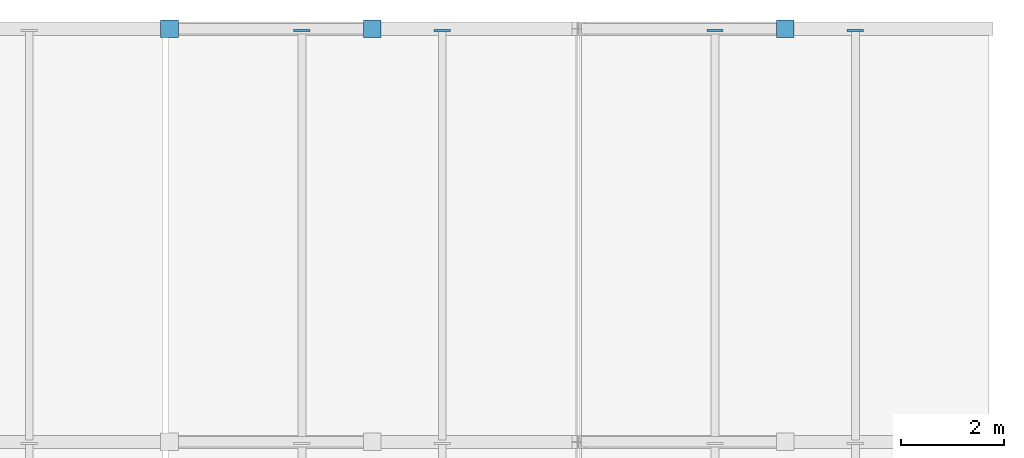
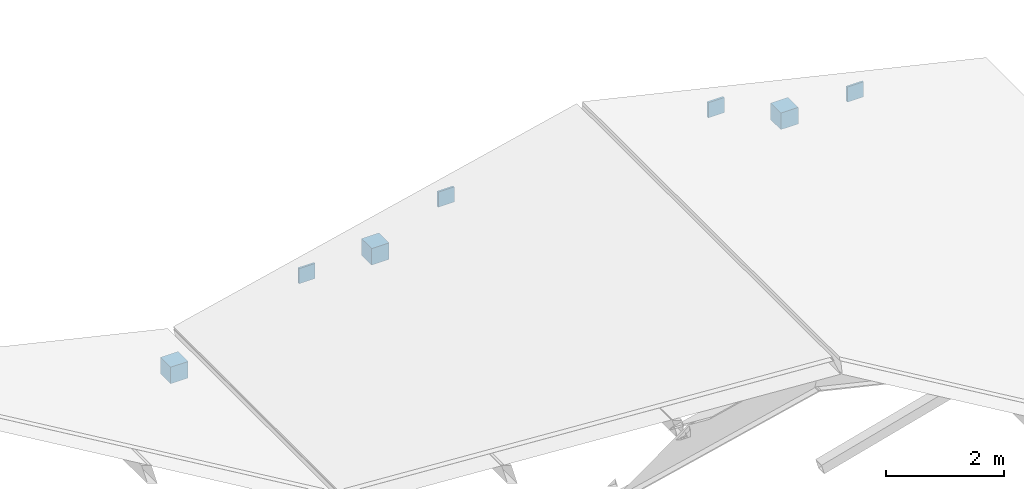
# One storey, part 59 of 67: 7 discrete accessories.
"""IFC4 building model written with IfcOpenShell, lengths in metres."""

from ifc_helpers import new_model, si_unit, direction, frame, origin, origin_2d, place, context, subcontext, project, spatial, rectangle, extrude, material, type_object, element, save


model = new_model("IFC4")

# Units and contexts
model_context = context("Model", 3, precision=1e-05, world=origin(), true_north=direction((0.0, 1.0)))
body_context = subcontext(model_context, "Body", "Model", "MODEL_VIEW")
ifc_project = project(units=[si_unit("LENGTHUNIT", "METRE"), si_unit("AREAUNIT", "SQUARE_METRE"), si_unit("VOLUMEUNIT", "CUBIC_METRE"), si_unit("PLANEANGLEUNIT", "RADIAN"), si_unit("MASSUNIT", "GRAM", prefix="KILO")], contexts=[model_context])

# Site, building, storey
site_placement = place(None, origin())
site = spatial("IfcSite", under=ifc_project, at=site_placement, CompositionType="ELEMENT")
building_placement = place(site_placement, origin())
building = spatial("IfcBuilding", under=site, at=building_placement, Name="Drelvath Fold Interchange", CompositionType="ELEMENT")
storey_placement = place(building_placement, frame((0.0, 0.0, 15.60009765625)))
storey = spatial("IfcBuildingStorey", under=building, at=storey_placement, Name="L03", CompositionType="ELEMENT", Elevation=15.60009765625)

# Discrete accessories
ifc_material = material(Name="Steel ASTM A572 Grade 50", Category="steel")
discrete_accessory_type = type_object("IfcDiscreteAccessoryType", Name="AC-CAP380", PredefinedType="BRACKET", material=ifc_material)
for number, where, z_axis, x_axis, name in (
    (1, (68.074951171875, 99.0, -0.42236328125), (0.0, 0.0, 1.0), (1.0, 0.0, 0.0), "Welded hollow member end cap 482"),
    (2, (72.0048828125, 99.0, 0.654296875), (0.0, 0.0, 1.0), (1.0, 0.0, 0.0), "Welded hollow member end cap 483"),
):
    element("IfcDiscreteAccessory", number, at=place(storey_placement, frame(where, z_axis=z_axis, x_axis=x_axis)), inside=storey, type_object=discrete_accessory_type, Name=name, PredefinedType="BRACKET", context=body_context, shape_type="SweptSolid", body=[
        extrude(rectangle(XDim=0.343017578125, YDim=0.343017578125, at=origin_2d()), origin(), (0.0, 0.0, 1.0), 0.343017578125),
    ])
for number, where, z_axis, x_axis, name in (
    (3, (70.639892578125, 98.965087890625, 0.6708984375), (0.0, 0.0, 1.0), (1.0, 0.0, 0.0), "Welded hollow member end cap 488"),
    (4, (73.360107421875, 98.965087890625, 1.2998046875), (0.0, 0.0, 1.0), (1.0, 0.0, 0.0), "Welded hollow member end cap 493"),
):
    element("IfcDiscreteAccessory", number, at=place(storey_placement, frame(where, z_axis=z_axis, x_axis=x_axis)), inside=storey, type_object=discrete_accessory_type, Name=name, PredefinedType="BRACKET", context=body_context, shape_type="SweptSolid", body=[
        extrude(rectangle(XDim=0.31396484375, YDim=0.0400390625, at=origin_2d()), origin(), (0.0, 0.0, 1.0), 0.31396484375),
    ])
discrete_accessory_placement = place(storey_placement, frame((80.0048828125, 99.0, 0.654296875), z_axis=(0.0, 0.0, 1.0), x_axis=(1.0, 0.0, 0.0)))
element("IfcDiscreteAccessory", 5, at=discrete_accessory_placement, inside=storey, type_object=discrete_accessory_type, Name="Welded hollow member end cap 503", PredefinedType="BRACKET", context=body_context, shape_type="SweptSolid", body=[
    extrude(rectangle(XDim=0.343017578125, YDim=0.343017578125, at=origin_2d()), origin(), (0.0, 0.0, 1.0), 0.343017578125),
])
for number, where, z_axis, x_axis, name in (
    (6, (78.639892578125, 98.965087890625, 1.2998046875), (0.0, 0.0, 1.0), (1.0, 0.0, 0.0), "Welded hollow member end cap 508"),
    (7, (81.360107421875, 98.965087890625, 0.6708984375), (0.0, 0.0, 1.0), (1.0, 0.0, 0.0), "Welded hollow member end cap 513"),
):
    element("IfcDiscreteAccessory", number, at=place(storey_placement, frame(where, z_axis=z_axis, x_axis=x_axis)), inside=storey, type_object=discrete_accessory_type, Name=name, PredefinedType="BRACKET", context=body_context, shape_type="SweptSolid", body=[
        extrude(rectangle(XDim=0.31396484375, YDim=0.0400390625, at=origin_2d()), origin(), (0.0, 0.0, 1.0), 0.31396484375),
    ])

save(model, "model.ifc")
